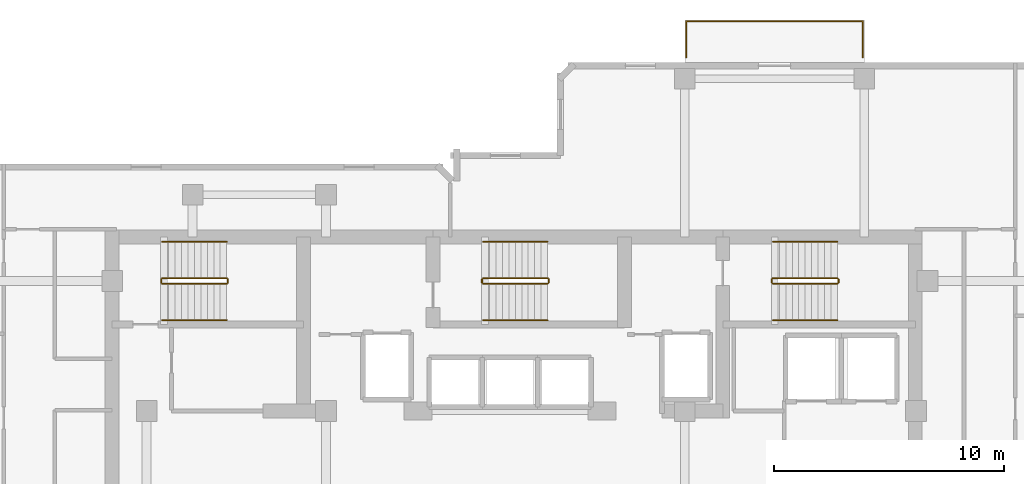
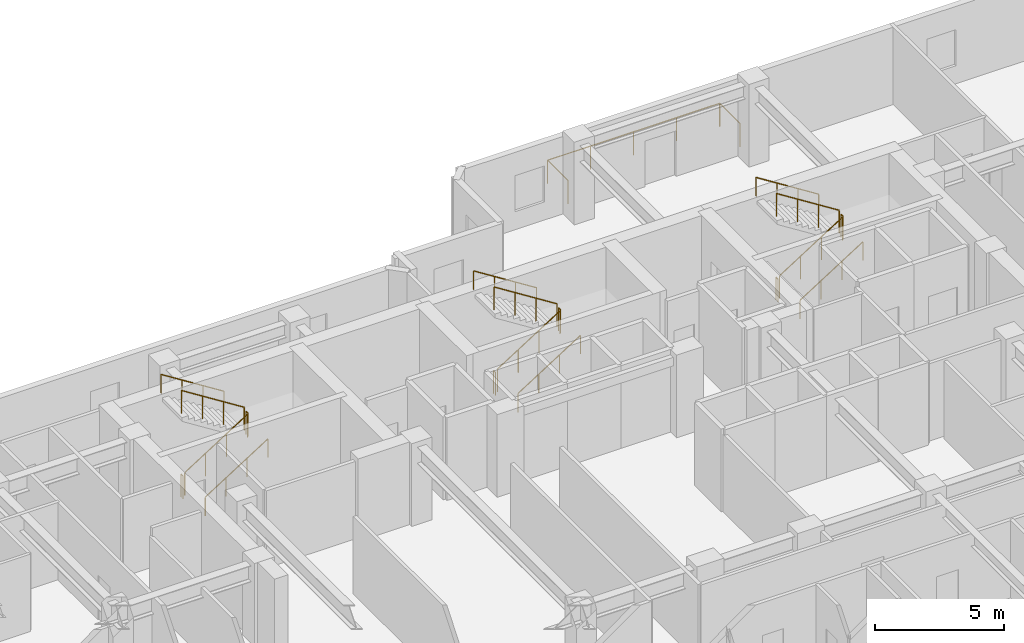
# One storey, part 10 of 10: 19 railings.
"""IFC4 building model written with IfcOpenShell, lengths in metres."""

from ifc_helpers import new_model, si_unit, direction, frame, origin, origin_2d, place, context, subcontext, project, spatial, circle, extrude, material, type_object, element, save


model = new_model("IFC4")

# Units and contexts
model_context = context("Model", 3, precision=1e-05, world=origin(), true_north=direction((0.0, 1.0)))
body_context = subcontext(model_context, "Body", "Model", "MODEL_VIEW")
ifc_project = project(units=[si_unit("LENGTHUNIT", "METRE"), si_unit("AREAUNIT", "SQUARE_METRE"), si_unit("VOLUMEUNIT", "CUBIC_METRE"), si_unit("PLANEANGLEUNIT", "RADIAN"), si_unit("MASSUNIT", "GRAM", prefix="KILO")], contexts=[model_context])

# Site, building, storey
site_placement = place(None, origin())
site = spatial("IfcSite", under=ifc_project, at=site_placement, CompositionType="ELEMENT")
building_placement = place(site_placement, origin())
building = spatial("IfcBuilding", under=site, at=building_placement, Name="Kestravale Grand Hotel", CompositionType="ELEMENT")
storey_placement = place(building_placement, frame((0.0, 0.0, 224.10009765625)))
storey = spatial("IfcBuildingStorey", under=building, at=storey_placement, Name="L56", CompositionType="ELEMENT", Elevation=224.10009765625)

# Railings
ifc_material_1 = material(Name="Champagne-bronze stainless steel and laminated glass guard", Category="steel")
railing_type_1 = type_object("IfcRailingType", Name="RL-EXT-1100", PredefinedType="GUARDRAIL", material=ifc_material_1)
railing_1_placement = place(storey_placement, frame((46.860107421875, 48.1201171875, 0.0)))
element("IfcRailing", 1, at=railing_1_placement, inside=storey, type_object=railing_type_1, Name="L56 outdoor terrace guard 1", PredefinedType="GUARDRAIL", context=body_context, shape_type="SweptSolid", body=[
    extrude(circle(Radius=0.02392578125, at=origin_2d()), frame((0.0, 0.0, 1.09619140625), z_axis=(0.0, 1.0, 0.0), x_axis=(-1.0, 0.0, 0.0)), (0.0, 0.0, 1.0), 1.56982421875),
    extrude(circle(Radius=0.02392578125, at=origin_2d()), frame((0.0, 1.56982421875, 1.09619140625), z_axis=(1.0, 0.0, 0.0), x_axis=(0.0, 1.0, 0.0)), (0.0, 0.0, 1.0), 7.679931640625),
    extrude(circle(Radius=0.02392578125, at=origin_2d()), frame((7.679931640625, 1.56982421875, 1.09619140625), z_axis=(0.0, -1.0, 0.0), x_axis=(1.0, 0.0, 0.0)), (0.0, 0.0, 1.0), 1.56982421875),
    extrude(circle(Radius=0.02099609375, at=origin_2d()), origin(), (0.0, 0.0, 1.0), 1.072021484375),
    extrude(circle(Radius=0.02099609375, at=origin_2d()), frame((0.0, 1.56982421875, 0.0)), (0.0, 0.0, 1.0), 1.072021484375),
    extrude(circle(Radius=0.02099609375, at=origin_2d()), frame((1.919921875, 1.56982421875, 0.0)), (0.0, 0.0, 1.0), 1.072021484375),
    extrude(circle(Radius=0.02099609375, at=origin_2d()), frame((3.83984375, 1.56982421875, 0.0)), (0.0, 0.0, 1.0), 1.072021484375),
    extrude(circle(Radius=0.02099609375, at=origin_2d()), frame((5.760009765625, 1.56982421875, 0.0)), (0.0, 0.0, 1.0), 1.072021484375),
    extrude(circle(Radius=0.02099609375, at=origin_2d()), frame((7.679931640625, 1.56982421875, 0.0)), (0.0, 0.0, 1.0), 1.072021484375),
    extrude(circle(Radius=0.02099609375, at=origin_2d()), frame((7.679931640625, 0.0, 0.0)), (0.0, 0.0, 1.0), 1.072021484375),
])
ifc_material_2 = material(Name="Painted tubular steel stair well guard", Category="steel")
railing_type_2 = type_object("IfcRailingType", Name="RL-ST-GRD1100", PredefinedType="GUARDRAIL", material=ifc_material_2)
railing_2_placement = place(storey_placement, frame((24.080078125, 38.280029296875, 0.17724609375)))
element("IfcRailing", 2, at=railing_2_placement, inside=storey, type_object=railing_type_2, Name="L56 ST-1 stair guard 1", PredefinedType="GUARDRAIL", context=body_context, shape_type="SweptSolid", body=[
    extrude(circle(Radius=0.02392578125, at=origin_2d()), frame((0.0, 0.0, 1.076171875), z_axis=(0.844887892834, 0.0, 0.53494340686), x_axis=(0.0, 1.0, 0.0)), (0.0, 0.0, 1.0), 3.313720703125),
    extrude(circle(Radius=0.02099609375, at=origin_2d()), origin(), (0.0, 0.0, 1.0), 1.052001953125),
    extrude(circle(Radius=0.02099609375, at=origin_2d()), frame((0.933349609375, 0.0, 0.5908203125)), (0.0, 0.0, 1.0), 1.052001953125),
    extrude(circle(Radius=0.02099609375, at=origin_2d()), frame((1.866455078125, 0.0, 1.181884765625)), (0.0, 0.0, 1.0), 1.052001953125),
    extrude(circle(Radius=0.02099609375, at=origin_2d()), frame((2.7998046875, 0.0, 1.772705078125)), (0.0, 0.0, 1.0), 1.052001953125),
])
railing_3_placement = place(storey_placement, frame((26.929931640625, 38.330078125, 1.949951171875)))
element("IfcRailing", 3, at=railing_3_placement, inside=storey, type_object=railing_type_2, Name="L56 ST-1 stair guard 2", PredefinedType="GUARDRAIL", context=body_context, shape_type="SweptSolid", body=[
    extrude(circle(Radius=0.02392578125, at=origin_2d()), frame((0.0, 0.0, 1.076171875), z_axis=(0.0, 1.0, 0.0), x_axis=(-1.0, 0.0, 0.0)), (0.0, 0.0, 1.0), 0.14990234375),
    extrude(circle(Radius=0.02099609375, at=origin_2d()), origin(), (0.0, 0.0, 1.0), 1.052001953125),
    extrude(circle(Radius=0.02099609375, at=origin_2d()), frame((0.0, 0.14990234375, 0.0)), (0.0, 0.0, 1.0), 1.052001953125),
])
railing_4_placement = place(storey_placement, frame((26.8798828125, 38.530029296875, 2.127197265625)))
element("IfcRailing", 4, at=railing_4_placement, inside=storey, type_object=railing_type_2, Name="L56 ST-1 stair guard 3", PredefinedType="GUARDRAIL", context=body_context, shape_type="SweptSolid", body=[
    extrude(circle(Radius=0.02392578125, at=origin_2d()), frame((0.0, 0.0, 1.076171875), z_axis=(-0.844887892834, 0.0, 0.53494340686), x_axis=(0.0, -1.0, 0.0)), (0.0, 0.0, 1.0), 3.313720703125),
    extrude(circle(Radius=0.02099609375, at=origin_2d()), origin(), (0.0, 0.0, 1.0), 1.052001953125),
    extrude(circle(Radius=0.02099609375, at=origin_2d()), frame((-0.933349609375, 0.0, 0.5908203125)), (0.0, 0.0, 1.0), 1.052001953125),
    extrude(circle(Radius=0.02099609375, at=origin_2d()), frame((-1.866455078125, 0.0, 1.181884765625)), (0.0, 0.0, 1.0), 1.052001953125),
    extrude(circle(Radius=0.02099609375, at=origin_2d()), frame((-2.7998046875, 0.0, 1.772705078125)), (0.0, 0.0, 1.0), 1.052001953125),
])
railing_5_placement = place(storey_placement, frame((24.030029296875, 38.330078125, 0.0)))
element("IfcRailing", 5, at=railing_5_placement, inside=storey, type_object=railing_type_2, Name="L56 ST-1 stair guard 4", PredefinedType="GUARDRAIL", context=body_context, shape_type="SweptSolid", body=[
    extrude(circle(Radius=0.02392578125, at=origin_2d()), frame((0.0, 0.0, 1.076171875), z_axis=(0.0, 1.0, 0.0), x_axis=(-1.0, 0.0, 0.0)), (0.0, 0.0, 1.0), 0.14990234375),
    extrude(circle(Radius=0.02099609375, at=origin_2d()), origin(), (0.0, 0.0, 1.0), 1.052001953125),
    extrude(circle(Radius=0.02099609375, at=origin_2d()), frame((0.0, 0.14990234375, 0.0)), (0.0, 0.0, 1.0), 1.052001953125),
])
railing_6_placement = place(storey_placement, frame((38.030029296875, 38.280029296875, 0.17724609375)))
element("IfcRailing", 6, at=railing_6_placement, inside=storey, type_object=railing_type_2, Name="L56 ST-2 stair guard 1", PredefinedType="GUARDRAIL", context=body_context, shape_type="SweptSolid", body=[
    extrude(circle(Radius=0.02392578125, at=origin_2d()), frame((0.0, 0.0, 1.076171875), z_axis=(0.844908973607, 0.0, 0.534910110503), x_axis=(0.0, 1.0, 0.0)), (0.0, 0.0, 1.0), 3.31396484375),
    extrude(circle(Radius=0.02099609375, at=origin_2d()), origin(), (0.0, 0.0, 1.0), 1.052001953125),
    extrude(circle(Radius=0.02099609375, at=origin_2d()), frame((0.933349609375, 0.0, 0.5908203125)), (0.0, 0.0, 1.0), 1.052001953125),
    extrude(circle(Radius=0.02099609375, at=origin_2d()), frame((1.86669921875, 0.0, 1.181884765625)), (0.0, 0.0, 1.0), 1.052001953125),
    extrude(circle(Radius=0.02099609375, at=origin_2d()), frame((2.800048828125, 0.0, 1.772705078125)), (0.0, 0.0, 1.0), 1.052001953125),
])
railing_7_placement = place(storey_placement, frame((40.8798828125, 38.330078125, 1.949951171875)))
element("IfcRailing", 7, at=railing_7_placement, inside=storey, type_object=railing_type_2, Name="L56 ST-2 stair guard 2", PredefinedType="GUARDRAIL", context=body_context, shape_type="SweptSolid", body=[
    extrude(circle(Radius=0.02392578125, at=origin_2d()), frame((0.0, 0.0, 1.076171875), z_axis=(0.0, 1.0, 0.0), x_axis=(-1.0, 0.0, 0.0)), (0.0, 0.0, 1.0), 0.14990234375),
    extrude(circle(Radius=0.02099609375, at=origin_2d()), origin(), (0.0, 0.0, 1.0), 1.052001953125),
    extrude(circle(Radius=0.02099609375, at=origin_2d()), frame((0.0, 0.14990234375, 0.0)), (0.0, 0.0, 1.0), 1.052001953125),
])
railing_8_placement = place(storey_placement, frame((40.830078125, 38.530029296875, 2.127197265625)))
element("IfcRailing", 8, at=railing_8_placement, inside=storey, type_object=railing_type_2, Name="L56 ST-2 stair guard 3", PredefinedType="GUARDRAIL", context=body_context, shape_type="SweptSolid", body=[
    extrude(circle(Radius=0.02392578125, at=origin_2d()), frame((0.0, 0.0, 1.076171875), z_axis=(-0.844908973607, 0.0, 0.534910110503), x_axis=(0.0, -1.0, 0.0)), (0.0, 0.0, 1.0), 3.31396484375),
    extrude(circle(Radius=0.02099609375, at=origin_2d()), origin(), (0.0, 0.0, 1.0), 1.052001953125),
    extrude(circle(Radius=0.02099609375, at=origin_2d()), frame((-0.933349609375, 0.0, 0.5908203125)), (0.0, 0.0, 1.0), 1.052001953125),
    extrude(circle(Radius=0.02099609375, at=origin_2d()), frame((-1.86669921875, 0.0, 1.181884765625)), (0.0, 0.0, 1.0), 1.052001953125),
    extrude(circle(Radius=0.02099609375, at=origin_2d()), frame((-2.800048828125, 0.0, 1.772705078125)), (0.0, 0.0, 1.0), 1.052001953125),
])
railing_9_placement = place(storey_placement, frame((37.97998046875, 38.330078125, 0.0)))
element("IfcRailing", 9, at=railing_9_placement, inside=storey, type_object=railing_type_2, Name="L56 ST-2 stair guard 4", PredefinedType="GUARDRAIL", context=body_context, shape_type="SweptSolid", body=[
    extrude(circle(Radius=0.02392578125, at=origin_2d()), frame((0.0, 0.0, 1.076171875), z_axis=(0.0, 1.0, 0.0), x_axis=(-1.0, 0.0, 0.0)), (0.0, 0.0, 1.0), 0.14990234375),
    extrude(circle(Radius=0.02099609375, at=origin_2d()), origin(), (0.0, 0.0, 1.0), 1.052001953125),
    extrude(circle(Radius=0.02099609375, at=origin_2d()), frame((0.0, 0.14990234375, 0.0)), (0.0, 0.0, 1.0), 1.052001953125),
])
railing_10_placement = place(storey_placement, frame((50.6298828125, 38.280029296875, 0.17724609375)))
element("IfcRailing", 10, at=railing_10_placement, inside=storey, type_object=railing_type_2, Name="L56 ST-3 stair guard 1", PredefinedType="GUARDRAIL", context=body_context, shape_type="SweptSolid", body=[
    extrude(circle(Radius=0.02392578125, at=origin_2d()), frame((0.0, 0.0, 1.076171875), z_axis=(0.844908973607, 0.0, 0.534910110503), x_axis=(0.0, 1.0, 0.0)), (0.0, 0.0, 1.0), 3.31396484375),
    extrude(circle(Radius=0.02099609375, at=origin_2d()), origin(), (0.0, 0.0, 1.0), 1.052001953125),
    extrude(circle(Radius=0.02099609375, at=origin_2d()), frame((0.933349609375, 0.0, 0.5908203125)), (0.0, 0.0, 1.0), 1.052001953125),
    extrude(circle(Radius=0.02099609375, at=origin_2d()), frame((1.86669921875, 0.0, 1.181884765625)), (0.0, 0.0, 1.0), 1.052001953125),
    extrude(circle(Radius=0.02099609375, at=origin_2d()), frame((2.800048828125, 0.0, 1.772705078125)), (0.0, 0.0, 1.0), 1.052001953125),
])
railing_11_placement = place(storey_placement, frame((53.47998046875, 38.330078125, 1.949951171875)))
element("IfcRailing", 11, at=railing_11_placement, inside=storey, type_object=railing_type_2, Name="L56 ST-3 stair guard 2", PredefinedType="GUARDRAIL", context=body_context, shape_type="SweptSolid", body=[
    extrude(circle(Radius=0.02392578125, at=origin_2d()), frame((0.0, 0.0, 1.076171875), z_axis=(0.0, 1.0, 0.0), x_axis=(-1.0, 0.0, 0.0)), (0.0, 0.0, 1.0), 0.14990234375),
    extrude(circle(Radius=0.02099609375, at=origin_2d()), origin(), (0.0, 0.0, 1.0), 1.052001953125),
    extrude(circle(Radius=0.02099609375, at=origin_2d()), frame((0.0, 0.14990234375, 0.0)), (0.0, 0.0, 1.0), 1.052001953125),
])
railing_12_placement = place(storey_placement, frame((53.429931640625, 38.530029296875, 2.127197265625)))
element("IfcRailing", 12, at=railing_12_placement, inside=storey, type_object=railing_type_2, Name="L56 ST-3 stair guard 3", PredefinedType="GUARDRAIL", context=body_context, shape_type="SweptSolid", body=[
    extrude(circle(Radius=0.02392578125, at=origin_2d()), frame((0.0, 0.0, 1.076171875), z_axis=(-0.844908973607, 0.0, 0.534910110503), x_axis=(0.0, -1.0, 0.0)), (0.0, 0.0, 1.0), 3.31396484375),
    extrude(circle(Radius=0.02099609375, at=origin_2d()), origin(), (0.0, 0.0, 1.0), 1.052001953125),
    extrude(circle(Radius=0.02099609375, at=origin_2d()), frame((-0.933349609375, 0.0, 0.5908203125)), (0.0, 0.0, 1.0), 1.052001953125),
    extrude(circle(Radius=0.02099609375, at=origin_2d()), frame((-1.86669921875, 0.0, 1.181884765625)), (0.0, 0.0, 1.0), 1.052001953125),
    extrude(circle(Radius=0.02099609375, at=origin_2d()), frame((-2.800048828125, 0.0, 1.772705078125)), (0.0, 0.0, 1.0), 1.052001953125),
])
railing_13_placement = place(storey_placement, frame((50.580078125, 38.330078125, 0.0)))
element("IfcRailing", 13, at=railing_13_placement, inside=storey, type_object=railing_type_2, Name="L56 ST-3 stair guard 4", PredefinedType="GUARDRAIL", context=body_context, shape_type="SweptSolid", body=[
    extrude(circle(Radius=0.02392578125, at=origin_2d()), frame((0.0, 0.0, 1.076171875), z_axis=(0.0, 1.0, 0.0), x_axis=(-1.0, 0.0, 0.0)), (0.0, 0.0, 1.0), 0.14990234375),
    extrude(circle(Radius=0.02099609375, at=origin_2d()), origin(), (0.0, 0.0, 1.0), 1.052001953125),
    extrude(circle(Radius=0.02099609375, at=origin_2d()), frame((0.0, 0.14990234375, 0.0)), (0.0, 0.0, 1.0), 1.052001953125),
])
ifc_material_3 = material(Name="Brushed stainless steel wall handrail", Category="steel")
railing_type_3 = type_object("IfcRailingType", Name="RL-ST-HND900", PredefinedType="HANDRAIL", material=ifc_material_3)
railing_14_placement = place(storey_placement, frame((24.080078125, 36.699951171875, 0.17724609375)))
element("IfcRailing", 14, at=railing_14_placement, inside=storey, type_object=railing_type_3, Name="L56 ST-1 stair handrail 1", PredefinedType="HANDRAIL", context=body_context, shape_type="SweptSolid", body=[
    extrude(circle(Radius=0.02392578125, at=origin_2d()), frame((0.0, 0.0, 0.8759765625), z_axis=(0.844887892834, 0.0, 0.53494340686), x_axis=(0.0, 1.0, 0.0)), (0.0, 0.0, 1.0), 3.313720703125),
    extrude(circle(Radius=0.02099609375, at=origin_2d()), origin(), (0.0, 0.0, 1.0), 0.851806640625),
    extrude(circle(Radius=0.02099609375, at=origin_2d()), frame((0.933349609375, 0.0, 0.5908203125)), (0.0, 0.0, 1.0), 0.851806640625),
    extrude(circle(Radius=0.02099609375, at=origin_2d()), frame((1.866455078125, 0.0, 1.181884765625)), (0.0, 0.0, 1.0), 0.851806640625),
    extrude(circle(Radius=0.02099609375, at=origin_2d()), frame((2.7998046875, 0.0, 1.772705078125)), (0.0, 0.0, 1.0), 0.851806640625),
])
railing_15_placement = place(storey_placement, frame((26.8798828125, 40.110107421875, 2.127197265625)))
element("IfcRailing", 15, at=railing_15_placement, inside=storey, type_object=railing_type_3, Name="L56 ST-1 stair handrail 2", PredefinedType="HANDRAIL", context=body_context, shape_type="SweptSolid", body=[
    extrude(circle(Radius=0.02392578125, at=origin_2d()), frame((0.0, 0.0, 0.8759765625), z_axis=(-0.844887892834, 0.0, 0.53494340686), x_axis=(0.0, -1.0, 0.0)), (0.0, 0.0, 1.0), 3.313720703125),
    extrude(circle(Radius=0.02099609375, at=origin_2d()), origin(), (0.0, 0.0, 1.0), 0.851806640625),
    extrude(circle(Radius=0.02099609375, at=origin_2d()), frame((-0.933349609375, 0.0, 0.5908203125)), (0.0, 0.0, 1.0), 0.851806640625),
    extrude(circle(Radius=0.02099609375, at=origin_2d()), frame((-1.866455078125, 0.0, 1.181884765625)), (0.0, 0.0, 1.0), 0.851806640625),
    extrude(circle(Radius=0.02099609375, at=origin_2d()), frame((-2.7998046875, 0.0, 1.772705078125)), (0.0, 0.0, 1.0), 0.851806640625),
])
railing_16_placement = place(storey_placement, frame((38.030029296875, 36.699951171875, 0.17724609375)))
element("IfcRailing", 16, at=railing_16_placement, inside=storey, type_object=railing_type_3, Name="L56 ST-2 stair handrail 1", PredefinedType="HANDRAIL", context=body_context, shape_type="SweptSolid", body=[
    extrude(circle(Radius=0.02392578125, at=origin_2d()), frame((0.0, 0.0, 0.8759765625), z_axis=(0.844908973607, 0.0, 0.534910110503), x_axis=(0.0, 1.0, 0.0)), (0.0, 0.0, 1.0), 3.31396484375),
    extrude(circle(Radius=0.02099609375, at=origin_2d()), origin(), (0.0, 0.0, 1.0), 0.851806640625),
    extrude(circle(Radius=0.02099609375, at=origin_2d()), frame((0.933349609375, 0.0, 0.5908203125)), (0.0, 0.0, 1.0), 0.851806640625),
    extrude(circle(Radius=0.02099609375, at=origin_2d()), frame((1.86669921875, 0.0, 1.181884765625)), (0.0, 0.0, 1.0), 0.851806640625),
    extrude(circle(Radius=0.02099609375, at=origin_2d()), frame((2.800048828125, 0.0, 1.772705078125)), (0.0, 0.0, 1.0), 0.851806640625),
])
railing_17_placement = place(storey_placement, frame((40.830078125, 40.110107421875, 2.127197265625)))
element("IfcRailing", 17, at=railing_17_placement, inside=storey, type_object=railing_type_3, Name="L56 ST-2 stair handrail 2", PredefinedType="HANDRAIL", context=body_context, shape_type="SweptSolid", body=[
    extrude(circle(Radius=0.02392578125, at=origin_2d()), frame((0.0, 0.0, 0.8759765625), z_axis=(-0.844908973607, 0.0, 0.534910110503), x_axis=(0.0, -1.0, 0.0)), (0.0, 0.0, 1.0), 3.31396484375),
    extrude(circle(Radius=0.02099609375, at=origin_2d()), origin(), (0.0, 0.0, 1.0), 0.851806640625),
    extrude(circle(Radius=0.02099609375, at=origin_2d()), frame((-0.933349609375, 0.0, 0.5908203125)), (0.0, 0.0, 1.0), 0.851806640625),
    extrude(circle(Radius=0.02099609375, at=origin_2d()), frame((-1.86669921875, 0.0, 1.181884765625)), (0.0, 0.0, 1.0), 0.851806640625),
    extrude(circle(Radius=0.02099609375, at=origin_2d()), frame((-2.800048828125, 0.0, 1.772705078125)), (0.0, 0.0, 1.0), 0.851806640625),
])
railing_18_placement = place(storey_placement, frame((50.6298828125, 36.699951171875, 0.17724609375)))
element("IfcRailing", 18, at=railing_18_placement, inside=storey, type_object=railing_type_3, Name="L56 ST-3 stair handrail 1", PredefinedType="HANDRAIL", context=body_context, shape_type="SweptSolid", body=[
    extrude(circle(Radius=0.02392578125, at=origin_2d()), frame((0.0, 0.0, 0.8759765625), z_axis=(0.844908973607, 0.0, 0.534910110503), x_axis=(0.0, 1.0, 0.0)), (0.0, 0.0, 1.0), 3.31396484375),
    extrude(circle(Radius=0.02099609375, at=origin_2d()), origin(), (0.0, 0.0, 1.0), 0.851806640625),
    extrude(circle(Radius=0.02099609375, at=origin_2d()), frame((0.933349609375, 0.0, 0.5908203125)), (0.0, 0.0, 1.0), 0.851806640625),
    extrude(circle(Radius=0.02099609375, at=origin_2d()), frame((1.86669921875, 0.0, 1.181884765625)), (0.0, 0.0, 1.0), 0.851806640625),
    extrude(circle(Radius=0.02099609375, at=origin_2d()), frame((2.800048828125, 0.0, 1.772705078125)), (0.0, 0.0, 1.0), 0.851806640625),
])
railing_19_placement = place(storey_placement, frame((53.429931640625, 40.110107421875, 2.127197265625)))
element("IfcRailing", 19, at=railing_19_placement, inside=storey, type_object=railing_type_3, Name="L56 ST-3 stair handrail 2", PredefinedType="HANDRAIL", context=body_context, shape_type="SweptSolid", body=[
    extrude(circle(Radius=0.02392578125, at=origin_2d()), frame((0.0, 0.0, 0.8759765625), z_axis=(-0.844908973607, 0.0, 0.534910110503), x_axis=(0.0, -1.0, 0.0)), (0.0, 0.0, 1.0), 3.31396484375),
    extrude(circle(Radius=0.02099609375, at=origin_2d()), origin(), (0.0, 0.0, 1.0), 0.851806640625),
    extrude(circle(Radius=0.02099609375, at=origin_2d()), frame((-0.933349609375, 0.0, 0.5908203125)), (0.0, 0.0, 1.0), 0.851806640625),
    extrude(circle(Radius=0.02099609375, at=origin_2d()), frame((-1.86669921875, 0.0, 1.181884765625)), (0.0, 0.0, 1.0), 0.851806640625),
    extrude(circle(Radius=0.02099609375, at=origin_2d()), frame((-2.800048828125, 0.0, 1.772705078125)), (0.0, 0.0, 1.0), 0.851806640625),
])

save(model, "model.ifc")
